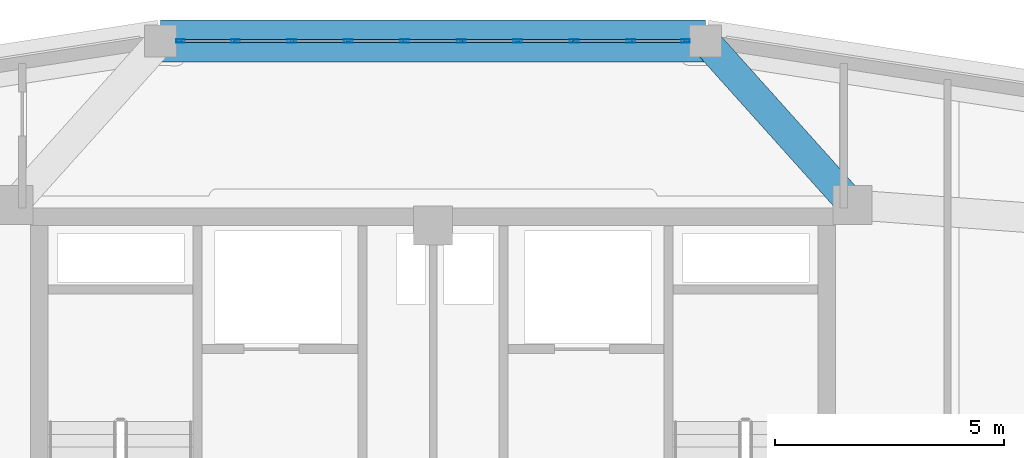
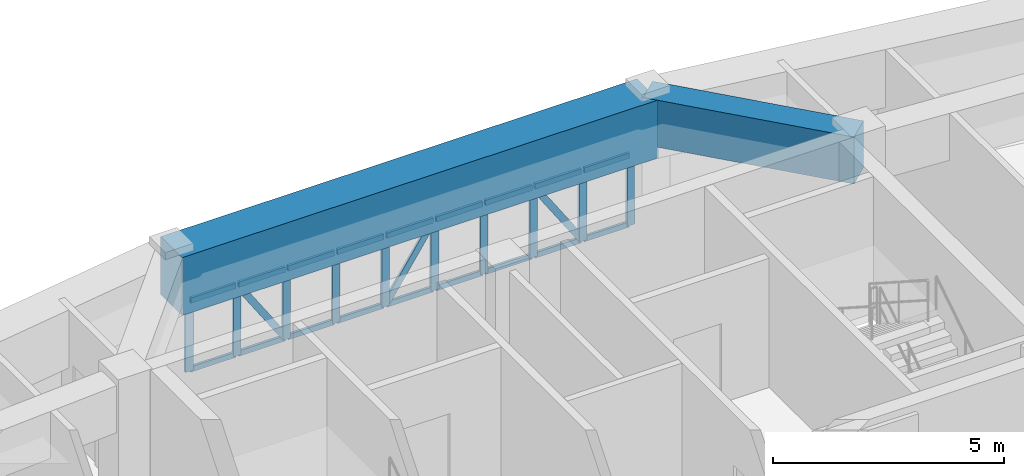
# One storey, part 9 of 14: 31 members, 2 beams, 1 element without a shape of its own.
"""IFC4 building model written with IfcOpenShell, lengths in metres."""

from ifc_helpers import new_model, si_unit, derived_unit, direction, frame, origin, origin_2d, place, context, subcontext, project, spatial, rectangle, hollow_rectangle, extrude, source, transform, mapped, material, layer, layer_set, material_profile, profile_set, type_object, element, aggregate, save


model = new_model("IFC4")

# Units and contexts
model_context = context("Model", 3, precision=1e-05, world=origin(), true_north=direction((0.0, 1.0)))
body_context = subcontext(model_context, "Body", "Model", "MODEL_VIEW")
ifc_project = project(units=[si_unit("LENGTHUNIT", "METRE"), si_unit("AREAUNIT", "SQUARE_METRE"), si_unit("VOLUMEUNIT", "CUBIC_METRE"), si_unit("PLANEANGLEUNIT", "RADIAN"), si_unit("MASSUNIT", "GRAM", prefix="KILO"), derived_unit("THERMALTRANSMITTANCEUNIT", [(si_unit("POWERUNIT", "WATT"), 1), (si_unit("LENGTHUNIT", "METRE"), -2), (si_unit("THERMODYNAMICTEMPERATUREUNIT", "KELVIN"), -1)])], contexts=[model_context])

# Site, building, storey
site_placement = place(None, origin())
site = spatial("IfcSite", under=ifc_project, at=site_placement, CompositionType="ELEMENT")
building_placement = place(site_placement, origin())
building = spatial("IfcBuilding", under=site, at=building_placement, Name="Korsvarv Bourse and Concert Hall", CompositionType="ELEMENT")
storey_placement = place(building_placement, frame((0.0, 0.0, 253.800048828125)))
storey = spatial("IfcBuildingStorey", under=building, at=storey_placement, Name="L66", CompositionType="ELEMENT", Elevation=253.800048828125)

# Beams
ifc_material_1 = material(Name="Concrete C50/60", Category="concrete")
ifc_material_profile_1 = material_profile(ifc_material_1, rectangle(XDim=0.919921875, YDim=1.530029296875, at=origin_2d()), Name="RC-BM 920x1530")
ifc_profile_set_1 = profile_set([ifc_material_profile_1], Name="Concrete C50/60")
beam_type_1 = type_object("IfcBeamType", Name="BM-TR-154", PredefinedType="BEAM", material=ifc_profile_set_1)
shared_shape_1 = source(origin(), body_context, "Body", "SweptSolid", [
    extrude(rectangle(XDim=0.919921875, YDim=1.530029296875, at=origin_2d()), origin(), (0.0, 0.0, 1.0), 11.8916015625),
])
beam_1_placement = place(storey_placement, frame((41.94580078125, 50.82275390625, 2.64501953125), z_axis=(-1.0, 0.0, 0.0), x_axis=(0.0, -1.0, 0.0)))
element("IfcBeam", 1, at=beam_1_placement, inside=storey, type_object=beam_type_1, Name="L66 beam B-TR6", PredefinedType="BEAM", context=body_context, shape_type="MappedRepresentation", body=[
    mapped(shared_shape_1, transform((0.0, 0.0, 0.0), scale=1.0)),
])
ifc_material_profile_2 = material_profile(ifc_material_1, rectangle(XDim=0.64990234375, YDim=1.239990234375, at=origin_2d()), Name="RC-BM 650x1240")
ifc_profile_set_2 = profile_set([ifc_material_profile_2], Name="Concrete C50/60")
beam_type_2 = type_object("IfcBeamType", Name="BM-TR-SPN", PredefinedType="BEAM", material=ifc_profile_set_2)
shared_shape_2 = source(origin(), body_context, "Body", "SweptSolid", [
    extrude(rectangle(XDim=0.64990234375, YDim=1.239990234375, at=origin_2d()), origin(), (0.0, 0.0, 1.0), 4.799072265625),
])
beam_2_placement = place(storey_placement, frame((41.94580078125, 50.82275390625, 2.7900390625), z_axis=(0.667653930614, -0.744471778468, 0.0), x_axis=(0.744471778468, 0.667653930614, 0.0)))
element("IfcBeam", 2, at=beam_2_placement, inside=storey, type_object=beam_type_2, Name="L66 beam B-TRS", PredefinedType="BEAM", context=body_context, shape_type="MappedRepresentation", body=[
    mapped(shared_shape_2, transform((0.0, 0.0, 0.0), scale=1.0)),
])

# Curtain wall, members
ifc_material_2 = material(Name="Anodised aluminium and triple low-E glazing", Category="glass")
ifc_layer = layer(ifc_material_2, 0.199951171875)
ifc_layer_set = layer_set([ifc_layer], Name="Anodised aluminium and triple low-E glazing")
curtain_wall_type = type_object("IfcCurtainWallType", Name="CW-SYS-3", PredefinedType="NOTDEFINED", material=ifc_layer_set)
curtain_wall_placement = place(storey_placement, origin())
curtain_wall = element("IfcCurtainWall", 3, at=curtain_wall_placement, inside=storey, type_object=curtain_wall_type, Name="L66 CW3 curtain wall CW-L66-F03", PredefinedType="NOTDEFINED")
ifc_material_3 = material(Name="Extruded aluminium EN AW-6063 T66", Category="aluminium")
ifc_material_profile_3 = material_profile(ifc_material_3, hollow_rectangle(XDim=0.070068359375, YDim=0.18994140625, WallThickness=0.0048828125, at=origin_2d()), Name="ALU-M 70x190")
ifc_profile_set_3 = profile_set([ifc_material_profile_3], Name="Extruded aluminium EN AW-6063 T66")
member_type_1 = type_object("IfcMemberType", Name="CWM-190", PredefinedType="MULLION", material=ifc_profile_set_3)
shared_shape_3 = source(origin(), body_context, "Body", "SweptSolid", [
    extrude(hollow_rectangle(XDim=0.070068359375, YDim=0.18994140625, WallThickness=0.0048828125, at=origin_2d()), origin(), (0.0, 0.0, 1.0), 1.8798828125),
])
member_1_placement = place(storey_placement, frame((41.5107421875, 50.82275390625, 0.0), z_axis=(0.0, 0.0, 1.0), x_axis=(0.0, -1.0, 0.0)))
member_1 = element("IfcMember", 4, at=member_1_placement, type_object=member_type_1, Name="CW3 mullion 1", PredefinedType="MULLION", context=body_context, shape_type="MappedRepresentation", body=[
    mapped(shared_shape_3, transform((0.0, 0.0, 0.0), scale=1.0)),
])
member_2_placement = place(storey_placement, frame((40.313232421875, 50.82275390625, 0.0), z_axis=(0.0, 0.0, 1.0), x_axis=(0.0, -1.0, 0.0)))
member_2 = element("IfcMember", 5, at=member_2_placement, type_object=member_type_1, Name="CW3 mullion 2", PredefinedType="MULLION", context=body_context, shape_type="MappedRepresentation", body=[
    mapped(shared_shape_3, transform((0.0, 0.0, 0.0), scale=1.0)),
])
member_3_placement = place(storey_placement, frame((39.0810546875, 50.82275390625, 0.0), z_axis=(0.0, 0.0, 1.0), x_axis=(0.0, -1.0, 0.0)))
member_3 = element("IfcMember", 6, at=member_3_placement, type_object=member_type_1, Name="CW3 mullion 3", PredefinedType="MULLION", context=body_context, shape_type="MappedRepresentation", body=[
    mapped(shared_shape_3, transform((0.0, 0.0, 0.0), scale=1.0)),
])
member_4_placement = place(storey_placement, frame((37.8486328125, 50.82275390625, 0.0), z_axis=(0.0, 0.0, 1.0), x_axis=(0.0, -1.0, 0.0)))
member_4 = element("IfcMember", 7, at=member_4_placement, type_object=member_type_1, Name="CW3 mullion 4", PredefinedType="MULLION", context=body_context, shape_type="MappedRepresentation", body=[
    mapped(shared_shape_3, transform((0.0, 0.0, 0.0), scale=1.0)),
])
member_5_placement = place(storey_placement, frame((36.6162109375, 50.82275390625, 0.0), z_axis=(0.0, 0.0, 1.0), x_axis=(0.0, -1.0, 0.0)))
member_5 = element("IfcMember", 8, at=member_5_placement, type_object=member_type_1, Name="CW3 mullion 5", PredefinedType="MULLION", context=body_context, shape_type="MappedRepresentation", body=[
    mapped(shared_shape_3, transform((0.0, 0.0, 0.0), scale=1.0)),
])
member_6_placement = place(storey_placement, frame((35.3837890625, 50.82275390625, 0.0), z_axis=(0.0, 0.0, 1.0), x_axis=(0.0, -1.0, 0.0)))
member_6 = element("IfcMember", 9, at=member_6_placement, type_object=member_type_1, Name="CW3 mullion 6", PredefinedType="MULLION", context=body_context, shape_type="MappedRepresentation", body=[
    mapped(shared_shape_3, transform((0.0, 0.0, 0.0), scale=1.0)),
])
member_7_placement = place(storey_placement, frame((34.1513671875, 50.82275390625, 0.0), z_axis=(0.0, 0.0, 1.0), x_axis=(0.0, -1.0, 0.0)))
member_7 = element("IfcMember", 10, at=member_7_placement, type_object=member_type_1, Name="CW3 mullion 7", PredefinedType="MULLION", context=body_context, shape_type="MappedRepresentation", body=[
    mapped(shared_shape_3, transform((0.0, 0.0, 0.0), scale=1.0)),
])
member_8_placement = place(storey_placement, frame((32.9189453125, 50.82275390625, 0.0), z_axis=(0.0, 0.0, 1.0), x_axis=(0.0, -1.0, 0.0)))
member_8 = element("IfcMember", 11, at=member_8_placement, type_object=member_type_1, Name="CW3 mullion 8", PredefinedType="MULLION", context=body_context, shape_type="MappedRepresentation", body=[
    mapped(shared_shape_3, transform((0.0, 0.0, 0.0), scale=1.0)),
])
member_9_placement = place(storey_placement, frame((31.686767578125, 50.82275390625, 0.0), z_axis=(0.0, 0.0, 1.0), x_axis=(0.0, -1.0, 0.0)))
member_9 = element("IfcMember", 12, at=member_9_placement, type_object=member_type_1, Name="CW3 mullion 9", PredefinedType="MULLION", context=body_context, shape_type="MappedRepresentation", body=[
    mapped(shared_shape_3, transform((0.0, 0.0, 0.0), scale=1.0)),
])
member_10_placement = place(storey_placement, frame((30.4892578125, 50.82275390625, 0.0), z_axis=(0.0, 0.0, 1.0), x_axis=(0.0, -1.0, 0.0)))
member_10 = element("IfcMember", 13, at=member_10_placement, type_object=member_type_1, Name="CW3 mullion 10", PredefinedType="MULLION", context=body_context, shape_type="MappedRepresentation", body=[
    mapped(shared_shape_3, transform((0.0, 0.0, 0.0), scale=1.0)),
])
ifc_material_profile_4 = material_profile(ifc_material_3, hollow_rectangle(XDim=0.06494140625, YDim=0.139892578125, WallThickness=0.00390625, at=origin_2d()), Name="ALU-T 65x140")
ifc_profile_set_4 = profile_set([ifc_material_profile_4], Name="Extruded aluminium EN AW-6063 T66")
member_type_2 = type_object("IfcMemberType", Name="CWT-140", PredefinedType="USERDEFINED", material=ifc_profile_set_4)
shared_shape_4 = source(origin(), body_context, "Body", "SweptSolid", [
    extrude(hollow_rectangle(XDim=0.06494140625, YDim=0.139892578125, WallThickness=0.00390625, at=origin_2d()), origin(), (0.0, 0.0, 1.0), 1.127197265625),
])
member_11_placement = place(storey_placement, frame((41.4755859375, 50.82275390625, 0.032470703125), z_axis=(-1.0, 0.0, 0.0), x_axis=(0.0, -1.0, 0.0)))
member_11 = element("IfcMember", 14, at=member_11_placement, type_object=member_type_2, Name="CW3 transom 1.1", ObjectType="TRANSOM", PredefinedType="USERDEFINED", context=body_context, shape_type="MappedRepresentation", body=[
    mapped(shared_shape_4, transform((0.0, 0.0, 0.0), scale=1.0)),
])
member_12_placement = place(storey_placement, frame((41.4755859375, 50.82275390625, 1.847412109375), z_axis=(-1.0, 0.0, 0.0), x_axis=(0.0, -1.0, 0.0)))
member_12 = element("IfcMember", 15, at=member_12_placement, type_object=member_type_2, Name="CW3 transom 1.2", ObjectType="TRANSOM", PredefinedType="USERDEFINED", context=body_context, shape_type="MappedRepresentation", body=[
    mapped(shared_shape_4, transform((0.0, 0.0, 0.0), scale=1.0)),
])
member_13_placement = place(storey_placement, frame((31.651611328125, 50.82275390625, 0.032470703125), z_axis=(-1.0, 0.0, 0.0), x_axis=(0.0, -1.0, 0.0)))
member_13 = element("IfcMember", 16, at=member_13_placement, type_object=member_type_2, Name="CW3 transom 9.1", ObjectType="TRANSOM", PredefinedType="USERDEFINED", context=body_context, shape_type="MappedRepresentation", body=[
    mapped(shared_shape_4, transform((0.0, 0.0, 0.0), scale=1.0)),
])
member_14_placement = place(storey_placement, frame((31.651611328125, 50.82275390625, 1.847412109375), z_axis=(-1.0, 0.0, 0.0), x_axis=(0.0, -1.0, 0.0)))
member_14 = element("IfcMember", 17, at=member_14_placement, type_object=member_type_2, Name="CW3 transom 9.2", ObjectType="TRANSOM", PredefinedType="USERDEFINED", context=body_context, shape_type="MappedRepresentation", body=[
    mapped(shared_shape_4, transform((0.0, 0.0, 0.0), scale=1.0)),
])
shared_shape_5 = source(origin(), body_context, "Body", "SweptSolid", [
    extrude(hollow_rectangle(XDim=0.06494140625, YDim=0.139892578125, WallThickness=0.00390625, at=origin_2d()), origin(), (0.0, 0.0, 1.0), 1.162353515625),
])
member_15_placement = place(storey_placement, frame((40.2783203125, 50.82275390625, 0.032470703125), z_axis=(-1.0, 0.0, 0.0), x_axis=(0.0, -1.0, 0.0)))
member_15 = element("IfcMember", 18, at=member_15_placement, type_object=member_type_2, Name="CW3 transom 2.1", ObjectType="TRANSOM", PredefinedType="USERDEFINED", context=body_context, shape_type="MappedRepresentation", body=[
    mapped(shared_shape_5, transform((0.0, 0.0, 0.0), scale=1.0)),
])
member_16_placement = place(storey_placement, frame((40.2783203125, 50.82275390625, 1.847412109375), z_axis=(-1.0, 0.0, 0.0), x_axis=(0.0, -1.0, 0.0)))
member_16 = element("IfcMember", 19, at=member_16_placement, type_object=member_type_2, Name="CW3 transom 2.2", ObjectType="TRANSOM", PredefinedType="USERDEFINED", context=body_context, shape_type="MappedRepresentation", body=[
    mapped(shared_shape_5, transform((0.0, 0.0, 0.0), scale=1.0)),
])
member_17_placement = place(storey_placement, frame((39.0458984375, 50.82275390625, 0.032470703125), z_axis=(-1.0, 0.0, 0.0), x_axis=(0.0, -1.0, 0.0)))
member_17 = element("IfcMember", 20, at=member_17_placement, type_object=member_type_2, Name="CW3 transom 3.1", ObjectType="TRANSOM", PredefinedType="USERDEFINED", context=body_context, shape_type="MappedRepresentation", body=[
    mapped(shared_shape_5, transform((0.0, 0.0, 0.0), scale=1.0)),
])
member_18_placement = place(storey_placement, frame((39.0458984375, 50.82275390625, 1.847412109375), z_axis=(-1.0, 0.0, 0.0), x_axis=(0.0, -1.0, 0.0)))
member_18 = element("IfcMember", 21, at=member_18_placement, type_object=member_type_2, Name="CW3 transom 3.2", ObjectType="TRANSOM", PredefinedType="USERDEFINED", context=body_context, shape_type="MappedRepresentation", body=[
    mapped(shared_shape_5, transform((0.0, 0.0, 0.0), scale=1.0)),
])
member_19_placement = place(storey_placement, frame((37.8134765625, 50.82275390625, 0.032470703125), z_axis=(-1.0, 0.0, 0.0), x_axis=(0.0, -1.0, 0.0)))
member_19 = element("IfcMember", 22, at=member_19_placement, type_object=member_type_2, Name="CW3 transom 4.1", ObjectType="TRANSOM", PredefinedType="USERDEFINED", context=body_context, shape_type="MappedRepresentation", body=[
    mapped(shared_shape_5, transform((0.0, 0.0, 0.0), scale=1.0)),
])
member_20_placement = place(storey_placement, frame((37.8134765625, 50.82275390625, 1.847412109375), z_axis=(-1.0, 0.0, 0.0), x_axis=(0.0, -1.0, 0.0)))
member_20 = element("IfcMember", 23, at=member_20_placement, type_object=member_type_2, Name="CW3 transom 4.2", ObjectType="TRANSOM", PredefinedType="USERDEFINED", context=body_context, shape_type="MappedRepresentation", body=[
    mapped(shared_shape_5, transform((0.0, 0.0, 0.0), scale=1.0)),
])
member_21_placement = place(storey_placement, frame((35.348876953125, 50.82275390625, 0.032470703125), z_axis=(-1.0, 0.0, 0.0), x_axis=(0.0, -1.0, 0.0)))
member_21 = element("IfcMember", 24, at=member_21_placement, type_object=member_type_2, Name="CW3 transom 6.1", ObjectType="TRANSOM", PredefinedType="USERDEFINED", context=body_context, shape_type="MappedRepresentation", body=[
    mapped(shared_shape_5, transform((0.0, 0.0, 0.0), scale=1.0)),
])
member_22_placement = place(storey_placement, frame((35.348876953125, 50.82275390625, 1.847412109375), z_axis=(-1.0, 0.0, 0.0), x_axis=(0.0, -1.0, 0.0)))
member_22 = element("IfcMember", 25, at=member_22_placement, type_object=member_type_2, Name="CW3 transom 6.2", ObjectType="TRANSOM", PredefinedType="USERDEFINED", context=body_context, shape_type="MappedRepresentation", body=[
    mapped(shared_shape_5, transform((0.0, 0.0, 0.0), scale=1.0)),
])
member_23_placement = place(storey_placement, frame((34.116455078125, 50.82275390625, 0.032470703125), z_axis=(-1.0, 0.0, 0.0), x_axis=(0.0, -1.0, 0.0)))
member_23 = element("IfcMember", 26, at=member_23_placement, type_object=member_type_2, Name="CW3 transom 7.1", ObjectType="TRANSOM", PredefinedType="USERDEFINED", context=body_context, shape_type="MappedRepresentation", body=[
    mapped(shared_shape_5, transform((0.0, 0.0, 0.0), scale=1.0)),
])
member_24_placement = place(storey_placement, frame((34.116455078125, 50.82275390625, 1.847412109375), z_axis=(-1.0, 0.0, 0.0), x_axis=(0.0, -1.0, 0.0)))
member_24 = element("IfcMember", 27, at=member_24_placement, type_object=member_type_2, Name="CW3 transom 7.2", ObjectType="TRANSOM", PredefinedType="USERDEFINED", context=body_context, shape_type="MappedRepresentation", body=[
    mapped(shared_shape_5, transform((0.0, 0.0, 0.0), scale=1.0)),
])
member_25_placement = place(storey_placement, frame((32.884033203125, 50.82275390625, 0.032470703125), z_axis=(-1.0, 0.0, 0.0), x_axis=(0.0, -1.0, 0.0)))
member_25 = element("IfcMember", 28, at=member_25_placement, type_object=member_type_2, Name="CW3 transom 8.1", ObjectType="TRANSOM", PredefinedType="USERDEFINED", context=body_context, shape_type="MappedRepresentation", body=[
    mapped(shared_shape_5, transform((0.0, 0.0, 0.0), scale=1.0)),
])
member_26_placement = place(storey_placement, frame((32.884033203125, 50.82275390625, 1.847412109375), z_axis=(-1.0, 0.0, 0.0), x_axis=(0.0, -1.0, 0.0)))
member_26 = element("IfcMember", 29, at=member_26_placement, type_object=member_type_2, Name="CW3 transom 8.2", ObjectType="TRANSOM", PredefinedType="USERDEFINED", context=body_context, shape_type="MappedRepresentation", body=[
    mapped(shared_shape_5, transform((0.0, 0.0, 0.0), scale=1.0)),
])
ifc_material_profile_5 = material_profile(ifc_material_3, hollow_rectangle(XDim=0.06494140625, YDim=0.1650390625, WallThickness=0.0048828125, at=origin_2d()), Name="ALU-M 65x165")
ifc_profile_set_5 = profile_set([ifc_material_profile_5], Name="Extruded aluminium EN AW-6063 T66")
member_type_3 = type_object("IfcMemberType", Name="CWM-165", PredefinedType="MULLION", material=ifc_profile_set_5)
shared_shape_6 = source(origin(), body_context, "Body", "SweptSolid", [
    extrude(hollow_rectangle(XDim=0.06494140625, YDim=0.1650390625, WallThickness=0.0048828125, at=origin_2d()), origin(), (0.0, 0.0, 1.0), 2.100830078125),
])
member_27_placement = place(storey_placement, frame((40.2783203125, 50.82275390625, 0.06494140625), z_axis=(-0.553278043462, 0.0, 0.832996642624), x_axis=(0.0, -1.0, 0.0)))
member_27 = element("IfcMember", 30, at=member_27_placement, type_object=member_type_3, Name="CW3 diagonal mullion 2", PredefinedType="MULLION", context=body_context, shape_type="MappedRepresentation", body=[
    mapped(shared_shape_6, transform((0.0, 0.0, 0.0), scale=1.0)),
])
member_28_placement = place(storey_placement, frame((32.884033203125, 50.82275390625, 0.06494140625), z_axis=(-0.553278043462, 0.0, 0.832996642624), x_axis=(0.0, -1.0, 0.0)))
member_28 = element("IfcMember", 31, at=member_28_placement, type_object=member_type_3, Name="CW3 diagonal mullion 8", PredefinedType="MULLION", context=body_context, shape_type="MappedRepresentation", body=[
    mapped(shared_shape_6, transform((0.0, 0.0, 0.0), scale=1.0)),
])
shared_shape_7 = source(origin(), body_context, "Body", "SweptSolid", [
    extrude(hollow_rectangle(XDim=0.06494140625, YDim=0.139892578125, WallThickness=0.00390625, at=origin_2d()), origin(), (0.0, 0.0, 1.0), 1.16259765625),
])
member_29_placement = place(storey_placement, frame((36.581298828125, 50.82275390625, 0.032470703125), z_axis=(-1.0, 0.0, 0.0), x_axis=(0.0, -1.0, 0.0)))
member_29 = element("IfcMember", 32, at=member_29_placement, type_object=member_type_2, Name="CW3 transom 5.1", ObjectType="TRANSOM", PredefinedType="USERDEFINED", context=body_context, shape_type="MappedRepresentation", body=[
    mapped(shared_shape_7, transform((0.0, 0.0, 0.0), scale=1.0)),
])
member_30_placement = place(storey_placement, frame((36.581298828125, 50.82275390625, 1.847412109375), z_axis=(-1.0, 0.0, 0.0), x_axis=(0.0, -1.0, 0.0)))
member_30 = element("IfcMember", 33, at=member_30_placement, type_object=member_type_2, Name="CW3 transom 5.2", ObjectType="TRANSOM", PredefinedType="USERDEFINED", context=body_context, shape_type="MappedRepresentation", body=[
    mapped(shared_shape_7, transform((0.0, 0.0, 0.0), scale=1.0)),
])
shared_shape_8 = source(origin(), body_context, "Body", "SweptSolid", [
    extrude(hollow_rectangle(XDim=0.06494140625, YDim=0.1650390625, WallThickness=0.0048828125, at=origin_2d()), origin(), (0.0, 0.0, 1.0), 2.10107421875),
])
member_31_placement = place(storey_placement, frame((35.418701171875, 50.82275390625, 0.06494140625), z_axis=(0.553358672201, 0.0, 0.832943083229), x_axis=(0.0, 1.0, 0.0)))
member_31 = element("IfcMember", 34, at=member_31_placement, type_object=member_type_3, Name="CW3 diagonal mullion 5", PredefinedType="MULLION", context=body_context, shape_type="MappedRepresentation", body=[
    mapped(shared_shape_8, transform((0.0, 0.0, 0.0), scale=1.0)),
])
aggregate(curtain_wall, [member_1, member_2, member_3, member_4, member_5, member_6, member_7, member_8, member_9, member_10, member_11, member_12, member_15, member_16, member_27, member_17, member_18, member_19, member_20, member_29, member_30, member_31, member_21, member_22, member_23, member_24, member_25, member_26, member_28, member_13, member_14])

save(model, "model.ifc")
